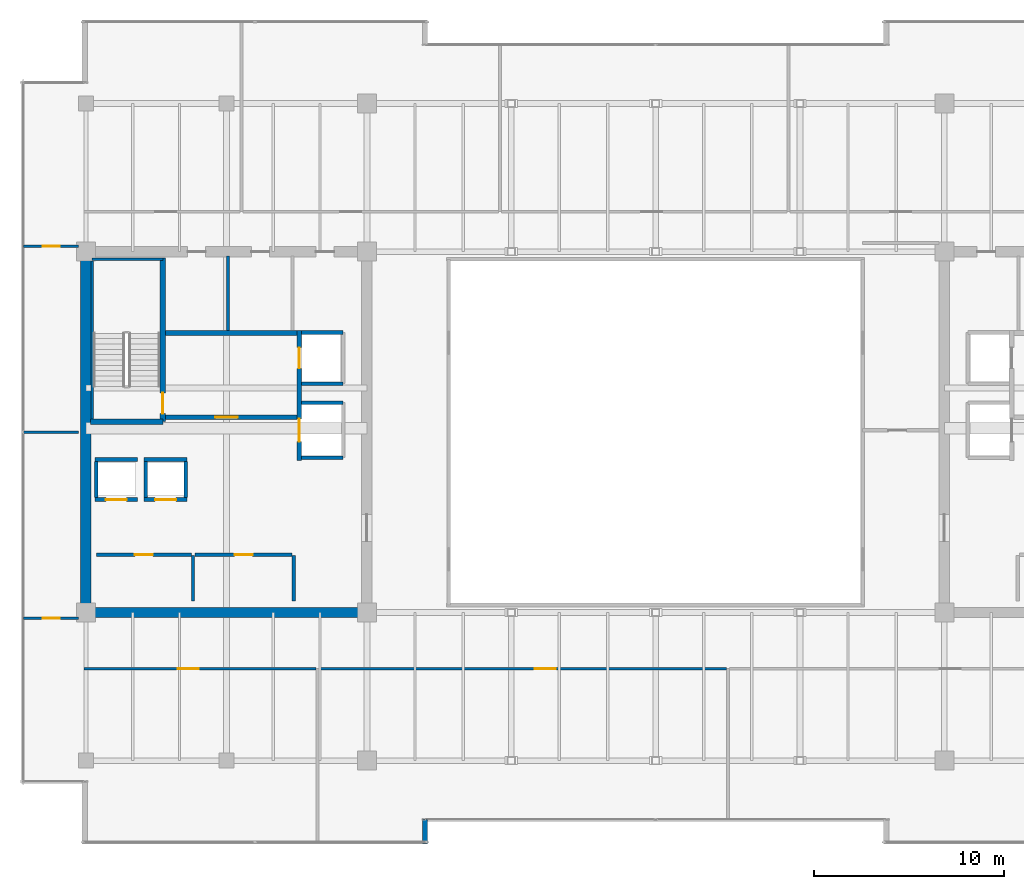
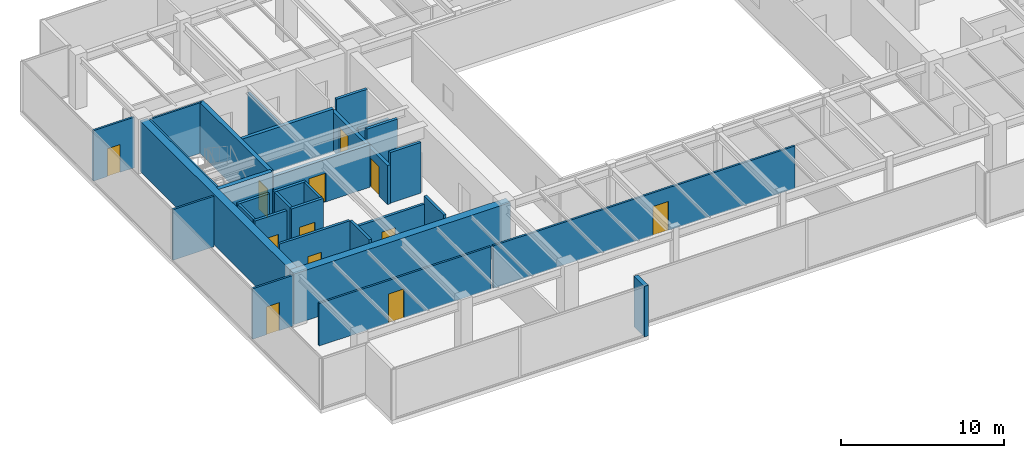
# One storey, part 28 of 33: 31 walls, 12 doors, 12 openings.
"""IFC4 building model written with IfcOpenShell, lengths in metres."""

from ifc_helpers import new_model, si_unit, direction, frame, frame_2d, origin, place, context, subcontext, project, spatial, rectangle, extrude, source, transform, mapped, material, layer, layer_set, type_object, type_shapes, element, fill, save


model = new_model("IFC4")

# Units and contexts
model_context = context("Model", 3, precision=1e-05, world=origin(), true_north=direction((0.0, 1.0)))
body_context = subcontext(model_context, "Body", "Model", "MODEL_VIEW")
ifc_project = project(units=[si_unit("LENGTHUNIT", "METRE"), si_unit("AREAUNIT", "SQUARE_METRE"), si_unit("VOLUMEUNIT", "CUBIC_METRE"), si_unit("PLANEANGLEUNIT", "RADIAN"), si_unit("MASSUNIT", "GRAM", prefix="KILO")], contexts=[model_context])

# Site, building, storey
site_placement = place(None, origin())
site = spatial("IfcSite", under=ifc_project, at=site_placement, CompositionType="ELEMENT")
building_placement = place(site_placement, origin())
building = spatial("IfcBuilding", under=site, at=building_placement, Name="Haelvirn Gate Laboratories", CompositionType="ELEMENT")
storey_placement = place(building_placement, frame((0.0, 0.0, 287.5)))
storey = spatial("IfcBuildingStorey", under=building, at=storey_placement, Name="L69", CompositionType="ELEMENT", Elevation=287.5)

# Wall
ifc_material_1 = material(Name="Thermally-broken bronze aluminium rainscreen & mineral wool", Category="aluminium")
ifc_layer_1 = layer(ifc_material_1, 0.280029296875, Name="EW-TERR-280")
ifc_layer_set_1 = layer_set([ifc_layer_1], Name="Thermally-broken bronze aluminium rainscreen & mineral wool")
wall_type_1 = type_object("IfcWallType", Name="EW-TERR-280", PredefinedType="STANDARD", material=ifc_layer_set_1)
wall_1_placement = place(storey_placement, frame((25.260009765625, 2.60009765625, 0.0), z_axis=(0.0, 0.0, 1.0), x_axis=(0.0, 1.0, 0.0)))
element("IfcWall", 1, at=wall_1_placement, inside=storey, type_object=wall_type_1, Name="L69 Atrium Recess Bronze Return Wall 01", PredefinedType="STANDARD", context=body_context, shape_type="SweptSolid", body=[
    extrude(rectangle(XDim=1.29296875, YDim=0.280029296875, at=frame_2d((0.646484375, 0.0))), origin(), (0.0, 0.0, 1.0), 3.800048828125),
])

# Wall, opening, door
ifc_material_2 = material(Name="Acoustic mineral-wool gypsum board partition", Category="gypsum")
ifc_layer_2 = layer(ifc_material_2, 0.139892578125, Name="IW-PART-140")
ifc_layer_set_2 = layer_set([ifc_layer_2], Name="Acoustic mineral-wool gypsum board partition")
wall_type_2 = type_object("IfcWallType", Name="IW-PART-140", PredefinedType="PARTITIONING", material=ifc_layer_set_2)
wall_2_placement = place(storey_placement, frame((7.31005859375, 11.840087890625, 0.0), z_axis=(0.0, 0.0, 1.0), x_axis=(1.0, 0.0, 0.0)))
wall_2 = element("IfcWall", 2, at=wall_2_placement, inside=storey, type_object=wall_type_2, Name="L69 Interior Wall IW-L69-SCORR-01", PredefinedType="PARTITIONING", context=body_context, shape_type="SweptSolid", body=[
    extrude(rectangle(XDim=12.2099609375, YDim=0.139892578125, at=frame_2d((6.10498046875, 0.0))), origin(), (0.0, 0.0, 1.0), 3.197021484375),
])
opening_1_placement = place(wall_2_placement, frame((4.930419921875, 0.0, 0.0)))
opening_1 = element("IfcOpeningElement", 3, at=opening_1_placement, cuts=wall_2, Name="Opening D1", PredefinedType="OPENING", context=body_context, shape_type="SweptSolid", body=[
    extrude(rectangle(XDim=1.10009765625, YDim=2.179931640625, at=frame_2d((0.550048828125, 1.08984375))), frame((0.0, 0.080078125, 0.0), z_axis=(0.0, -1.0, 0.0), x_axis=(1.0, 0.0, 0.0)), (0.0, 0.0, 1.0), 0.159912109375),
])
ifc_material_3 = material(Name="Vision-panel acoustic solid-core timber lab door", Category="wood")
door_type_1 = type_object("IfcDoorType", Name="DR-LAB-1100", OperationType="NOTDEFINED", PredefinedType="DOOR", material=ifc_material_3)
shared_shape_1 = source(origin(), body_context, "Body", "SweptSolid", [
    extrude(rectangle(XDim=1.10009765625, YDim=2.179931640625, at=frame_2d((0.550048828125, 1.08984375))), frame((0.0, 0.02490234375, 0.0), z_axis=(0.0, -1.0, 0.0), x_axis=(1.0, 0.0, 0.0)), (0.0, 0.0, 1.0), 0.050048828125),
])
type_shapes(door_type_1, [shared_shape_1])
door_1_placement = place(opening_1_placement, origin())
door_1 = element("IfcDoor", 4, at=door_1_placement, inside=storey, type_object=door_type_1, Name="L69 Bioinformatics Dry-Lab Workspace Door S1", OperationType="SINGLE_SWING_RIGHT", OverallHeight=2.179931640625, OverallWidth=1.10009765625, PredefinedType="DOOR", context=body_context, shape_type="MappedRepresentation", body=[
    mapped(shared_shape_1, transform((0.0, 0.0, 0.0), scale=1.0)),
])
fill(opening_1, door_1)

wall_3_placement = place(storey_placement, frame((19.679931640625, 11.840087890625, 0.0), z_axis=(0.0, 0.0, 1.0), x_axis=(1.0, 0.0, 0.0)))
wall_3 = element("IfcWall", 5, at=wall_3_placement, inside=storey, type_object=wall_type_2, Name="L69 Interior Wall IW-L69-SCORR-02", PredefinedType="PARTITIONING", context=body_context, shape_type="SweptSolid", body=[
    extrude(rectangle(XDim=21.440185546875, YDim=0.139892578125, at=frame_2d((10.72021484375, 0.0))), origin(), (0.0, 0.0, 1.0), 3.197021484375),
])
opening_2_placement = place(wall_3_placement, frame((11.348388671875, 0.0, 0.0)))
opening_2 = element("IfcOpeningElement", 6, at=opening_2_placement, cuts=wall_3, Name="Opening D1", PredefinedType="OPENING", context=body_context, shape_type="SweptSolid", body=[
    extrude(rectangle(XDim=1.10009765625, YDim=2.179931640625, at=frame_2d((0.550048828125, 1.08984375))), frame((0.0, 0.080078125, 0.0), z_axis=(0.0, -1.0, 0.0), x_axis=(1.0, 0.0, 0.0)), (0.0, 0.0, 1.0), 0.159912109375),
])
door_2_placement = place(opening_2_placement, origin())
door_2 = element("IfcDoor", 7, at=door_2_placement, inside=storey, type_object=door_type_1, Name="L69 Translational Data Office Door S2", OperationType="SINGLE_SWING_LEFT", OverallHeight=2.179931640625, OverallWidth=1.10009765625, PredefinedType="DOOR", context=body_context, shape_type="MappedRepresentation", body=[
    mapped(shared_shape_1, transform((0.0, 0.0, 0.0), scale=1.0)),
])
fill(opening_2, door_2)

# Wall
wall_4_placement = place(storey_placement, frame((4.110107421875, 24.300048828125, 0.0), z_axis=(0.0, 0.0, 1.0), x_axis=(1.0, 0.0, 0.0)))
element("IfcWall", 8, at=wall_4_placement, inside=storey, type_object=wall_type_2, Name="L69 Interior Wall IW-L69-WZ3-MID", PredefinedType="PARTITIONING", context=body_context, shape_type="SweptSolid", body=[
    extrude(rectangle(XDim=2.909912109375, YDim=0.139892578125, at=frame_2d((1.455078125, 0.0))), origin(), (0.0, 0.0, 1.0), 3.800048828125),
])

# Wall, opening, door
wall_5_placement = place(storey_placement, frame((4.110107421875, 14.5048828125, 0.0), z_axis=(0.0, 0.0, 1.0), x_axis=(1.0, 0.0, 0.0)))
wall_5 = element("IfcWall", 9, at=wall_5_placement, inside=storey, type_object=wall_type_2, Name="L69 Interior Wall IW-L69-WZ3-ENT-S", PredefinedType="PARTITIONING", context=body_context, shape_type="SweptSolid", body=[
    extrude(rectangle(XDim=2.909912109375, YDim=0.139892578125, at=frame_2d((1.455078125, 0.0))), origin(), (0.0, 0.0, 1.0), 3.800048828125),
])
opening_3_placement = place(wall_5_placement, frame((1.0048828125, 0.0, 0.0)))
opening_3 = element("IfcOpeningElement", 10, at=opening_3_placement, cuts=wall_5, Name="Opening D4", PredefinedType="OPENING", context=body_context, shape_type="SweptSolid", body=[
    extrude(rectangle(XDim=0.89990234375, YDim=2.10009765625, at=frame_2d((0.449951171875, 1.050048828125))), frame((0.0, 0.080078125, 0.0), z_axis=(0.0, -1.0, 0.0), x_axis=(1.0, 0.0, 0.0)), (0.0, 0.0, 1.0), 0.159912109375),
])
ifc_material_4 = material(Name="Glazed aluminium-framed write-up door", Category="aluminium")
door_type_2 = type_object("IfcDoorType", Name="DR-OFF-900", OperationType="NOTDEFINED", PredefinedType="DOOR", material=ifc_material_4)
shared_shape_2 = source(origin(), body_context, "Body", "SweptSolid", [
    extrude(rectangle(XDim=0.89990234375, YDim=2.10009765625, at=frame_2d((0.449951171875, 1.050048828125))), frame((0.0, 0.02490234375, 0.0), z_axis=(0.0, -1.0, 0.0), x_axis=(1.0, 0.0, 0.0)), (0.0, 0.0, 1.0), 0.050048828125),
])
type_shapes(door_type_2, [shared_shape_2])
door_3_placement = place(opening_3_placement, origin())
door_3 = element("IfcDoor", 11, at=door_3_placement, inside=storey, type_object=door_type_2, Name="L69 Proteomics Mass-Spec Laboratory Door W-S", OperationType="SINGLE_SWING_LEFT", OverallHeight=2.10009765625, OverallWidth=0.89990234375, PredefinedType="DOOR", context=body_context, shape_type="MappedRepresentation", body=[
    mapped(shared_shape_2, transform((0.0, 0.0, 0.0), scale=1.0)),
])
fill(opening_3, door_3)

wall_6_placement = place(storey_placement, frame((4.110107421875, 34.094970703125, 0.0), z_axis=(0.0, 0.0, 1.0), x_axis=(1.0, 0.0, 0.0)))
wall_6 = element("IfcWall", 12, at=wall_6_placement, inside=storey, type_object=wall_type_2, Name="L69 Interior Wall IW-L69-WZ3-ENT-N", PredefinedType="PARTITIONING", context=body_context, shape_type="SweptSolid", body=[
    extrude(rectangle(XDim=2.909912109375, YDim=0.139892578125, at=frame_2d((1.455078125, 0.0))), origin(), (0.0, 0.0, 1.0), 3.800048828125),
])
opening_4_placement = place(wall_6_placement, frame((1.0048828125, 0.0, 0.0)))
opening_4 = element("IfcOpeningElement", 13, at=opening_4_placement, cuts=wall_6, Name="Opening D4", PredefinedType="OPENING", context=body_context, shape_type="SweptSolid", body=[
    extrude(rectangle(XDim=0.89990234375, YDim=2.10009765625, at=frame_2d((0.449951171875, 1.050048828125))), frame((0.0, 0.080078125, 0.0), z_axis=(0.0, -1.0, 0.0), x_axis=(1.0, 0.0, 0.0)), (0.0, 0.0, 1.0), 0.159912109375),
])
door_4_placement = place(opening_4_placement, origin())
door_4 = element("IfcDoor", 14, at=door_4_placement, inside=storey, type_object=door_type_2, Name="L69 Bioprocess Foundry Laboratory Door W-N", OperationType="SINGLE_SWING_RIGHT", OverallHeight=2.10009765625, OverallWidth=0.89990234375, PredefinedType="DOOR", context=body_context, shape_type="MappedRepresentation", body=[
    mapped(shared_shape_2, transform((0.0, 0.0, 0.0), scale=1.0)),
])
fill(opening_4, door_4)

# Walls
ifc_material_5 = material(Name="Cement-board restroom plumbing chase wall", Category="gypsum")
ifc_layer_3 = layer(ifc_material_5, 0.155029296875, Name="IW-PLUMB-160")
ifc_layer_set_3 = layer_set([ifc_layer_3], Name="Cement-board restroom plumbing chase wall")
wall_type_3 = type_object("IfcWallType", Name="IW-PLUMB-160", PredefinedType="PLUMBINGWALL", material=ifc_layer_set_3)
wall_7_placement = place(storey_placement, frame((14.889892578125, 29.64990234375, 0.0), z_axis=(0.0, 0.0, 1.0), x_axis=(0.0, 1.0, 0.0)))
element("IfcWall", 15, at=wall_7_placement, inside=storey, type_object=wall_type_3, Name="L69 Interior Wall IW-L69-W-CDIV-1", PredefinedType="PLUMBINGWALL", context=body_context, shape_type="SweptSolid", body=[
    extrude(rectangle(XDim=3.93017578125, YDim=0.155029296875, at=frame_2d((1.965087890625, 0.0))), origin(), (0.0, 0.0, 1.0), 3.197021484375),
])
ifc_material_6 = material(Name="Concrete C40/50", Category="concrete")
ifc_layer_4 = layer(ifc_material_6, 0.179931640625, Name="IW-SHAFT-180")
ifc_layer_set_4 = layer_set([ifc_layer_4], Name="Concrete C40/50")
wall_type_4 = type_object("IfcWallType", Name="IW-SHAFT-180", PredefinedType="SOLIDWALL", material=ifc_layer_set_4)
for number, where, z_axis, x_axis, name in (
    (16, (7.949951171875, 20.85009765625, 0.0), (0.0, 0.0, 1.0), (0.0, 1.0, 0.0), "L69 Interior Wall IW-L69-PL9-SD"),
    (17, (10.550048828125, 20.85009765625, 0.0), (0.0, 0.0, 1.0), (0.0, 1.0, 0.0), "L69 Interior Wall IW-L69-PL10-SD"),
    (18, (12.64990234375, 20.85009765625, 0.0), (0.0, 0.0, 1.0), (0.0, 1.0, 0.0), "L69 Interior Wall IW-L69-PL10-SDE"),
):
    element("IfcWall", number, at=place(storey_placement, frame(where, z_axis=z_axis, x_axis=x_axis)), inside=storey, type_object=wall_type_4, Name=name, PredefinedType="SOLIDWALL", context=body_context, shape_type="SweptSolid", body=[
        extrude(rectangle(XDim=1.89990234375, YDim=0.179931640625, at=frame_2d((0.949951171875, 0.0))), origin(), (0.0, 0.0, 1.0), 3.800048828125),
    ])

# Wall, opening, door
wall_8_placement = place(storey_placement, frame((7.949951171875, 17.85009765625, 0.0), z_axis=(0.0, 0.0, 1.0), x_axis=(1.0, 0.0, 0.0)))
wall_8 = element("IfcWall", 19, at=wall_8_placement, inside=storey, type_object=wall_type_4, Name="L69 Interior Wall IW-L69-W-FREED-HN-1", PredefinedType="SOLIDWALL", context=body_context, shape_type="SweptSolid", body=[
    extrude(rectangle(XDim=5.0, YDim=0.179931640625, at=frame_2d((2.5, 0.0))), origin(), (0.0, 0.0, 1.0), 3.800048828125),
])
opening_5_placement = place(wall_8_placement, frame((2.02490234375, 0.0, 0.0)))
opening_5 = element("IfcOpeningElement", 20, at=opening_5_placement, cuts=wall_8, Name="Opening FD4", PredefinedType="OPENING", context=body_context, shape_type="SweptSolid", body=[
    extrude(rectangle(XDim=0.949951171875, YDim=2.14990234375, at=frame_2d((0.47509765625, 1.074951171875))), frame((0.0, 0.10009765625, 0.0), z_axis=(0.0, -1.0, 0.0), x_axis=(1.0, 0.0, 0.0)), (0.0, 0.0, 1.0), 0.199951171875),
])
ifc_material_7 = material(Name="Fire-rated steel SM355 core service door", Category="steel")
door_type_3 = type_object("IfcDoorType", Name="DR-FD-950", OperationType="NOTDEFINED", PredefinedType="DOOR", material=ifc_material_7)
shared_shape_3 = source(origin(), body_context, "Body", "SweptSolid", [
    extrude(rectangle(XDim=0.949951171875, YDim=2.14990234375, at=frame_2d((0.47509765625, 1.074951171875))), frame((0.0, 0.02490234375, 0.0), z_axis=(0.0, -1.0, 0.0), x_axis=(1.0, 0.0, 0.0)), (0.0, 0.0, 1.0), 0.050048828125),
])
type_shapes(door_type_3, [shared_shape_3])
door_5_placement = place(opening_5_placement, origin())
door_5 = element("IfcDoor", 21, at=door_5_placement, inside=storey, type_object=door_type_3, Name="L69 Cryogenic Specimen Biobank Door", OperationType="SINGLE_SWING_LEFT", OverallHeight=2.14990234375, OverallWidth=0.949951171875, PredefinedType="DOOR", context=body_context, shape_type="MappedRepresentation", body=[
    mapped(shared_shape_3, transform((0.0, 0.0, 0.0), scale=1.0)),
])
fill(opening_5, door_5)

# Wall
wall_9_placement = place(storey_placement, frame((13.0400390625, 15.39990234375, 0.0), z_axis=(0.0, 0.0, 1.0), x_axis=(0.0, 1.0, 0.0)))
element("IfcWall", 22, at=wall_9_placement, inside=storey, type_object=wall_type_4, Name="L69 Interior Wall IW-L69-W-FREED-HE-1", PredefinedType="SOLIDWALL", context=body_context, shape_type="SweptSolid", body=[
    extrude(rectangle(XDim=2.400146484375, YDim=0.179931640625, at=frame_2d((1.2001953125, 0.0))), origin(), (0.0, 0.0, 1.0), 3.800048828125),
])

# Wall, opening, door
wall_10_placement = place(storey_placement, frame((13.14990234375, 17.85009765625, 0.0), z_axis=(0.0, 0.0, 1.0), x_axis=(1.0, 0.0, 0.0)))
wall_10 = element("IfcWall", 23, at=wall_10_placement, inside=storey, type_object=wall_type_4, Name="L69 Interior Wall IW-L69-W-FREED-HN-2", PredefinedType="SOLIDWALL", context=body_context, shape_type="SweptSolid", body=[
    extrude(rectangle(XDim=5.10009765625, YDim=0.179931640625, at=frame_2d((2.550048828125, 0.0))), origin(), (0.0, 0.0, 1.0), 3.197021484375),
])
opening_6_placement = place(wall_10_placement, frame((2.074951171875, 0.0, 0.0)))
opening_6 = element("IfcOpeningElement", 24, at=opening_6_placement, cuts=wall_10, Name="Opening FD4", PredefinedType="OPENING", context=body_context, shape_type="SweptSolid", body=[
    extrude(rectangle(XDim=0.949951171875, YDim=2.14990234375, at=frame_2d((0.47509765625, 1.074951171875))), frame((0.0, 0.10009765625, 0.0), z_axis=(0.0, -1.0, 0.0), x_axis=(1.0, 0.0, 0.0)), (0.0, 0.0, 1.0), 0.199951171875),
])
door_6_placement = place(opening_6_placement, origin())
door_6 = element("IfcDoor", 25, at=door_6_placement, inside=storey, type_object=door_type_3, Name="L69 Cryo-Assay Preparation Laboratory Door", OperationType="SINGLE_SWING_RIGHT", OverallHeight=2.14990234375, OverallWidth=0.949951171875, PredefinedType="DOOR", context=body_context, shape_type="MappedRepresentation", body=[
    mapped(shared_shape_3, transform((0.0, 0.0, 0.0), scale=1.0)),
])
fill(opening_6, door_6)

# Wall
wall_11_placement = place(storey_placement, frame((18.340087890625, 15.39990234375, 0.0), z_axis=(0.0, 0.0, 1.0), x_axis=(0.0, 1.0, 0.0)))
element("IfcWall", 26, at=wall_11_placement, inside=storey, type_object=wall_type_4, Name="L69 Interior Wall IW-L69-W-FREED-HE-2", PredefinedType="SOLIDWALL", context=body_context, shape_type="SweptSolid", body=[
    extrude(rectangle(XDim=2.400146484375, YDim=0.179931640625, at=frame_2d((1.2001953125, 0.0))), origin(), (0.0, 0.0, 1.0), 3.800048828125),
])

# Wall, opening, door
ifc_layer_5 = layer(ifc_material_6, 0.199951171875, Name="IW-SHAFT-200")
ifc_layer_set_5 = layer_set([ifc_layer_5], Name="Concrete C40/50")
wall_type_5 = type_object("IfcWallType", Name="IW-SHAFT-200", PredefinedType="SOLIDWALL", material=ifc_layer_set_5)
wall_12_placement = place(storey_placement, frame((7.8701171875, 20.75, 0.0), z_axis=(0.0, 0.0, 1.0), x_axis=(1.0, 0.0, 0.0)))
wall_12 = element("IfcWall", 27, at=wall_12_placement, inside=storey, type_object=wall_type_5, Name="L69 Interior Wall IW-L69-PL9-FR", PredefinedType="SOLIDWALL", context=body_context, shape_type="SweptSolid", body=[
    extrude(rectangle(XDim=2.259765625, YDim=0.199951171875, at=frame_2d((1.1298828125, 0.0))), origin(), (0.0, 0.0, 1.0), 3.800048828125),
])
opening_7_placement = place(wall_12_placement, frame((0.580078125, 0.0, 0.0)))
opening_7 = element("IfcOpeningElement", 28, at=opening_7_placement, cuts=wall_12, Name="Opening LD2", PredefinedType="OPENING", context=body_context, shape_type="SweptSolid", body=[
    extrude(rectangle(XDim=1.10009765625, YDim=2.219970703125, at=frame_2d((0.550048828125, 1.10986328125))), frame((0.0, 0.10986328125, 0.0), z_axis=(0.0, -1.0, 0.0), x_axis=(1.0, 0.0, 0.0)), (0.0, 0.0, 1.0), 0.219970703125),
])
ifc_material_8 = material(Name="Bronze stainless 316L sliding lift landing door")
door_type_4 = type_object("IfcDoorType", Name="DR-LD-1100", OperationType="NOTDEFINED", PredefinedType="USERDEFINED", material=ifc_material_8)
shared_shape_4 = source(origin(), body_context, "Body", "SweptSolid", [
    extrude(rectangle(XDim=1.10009765625, YDim=2.219970703125, at=frame_2d((0.550048828125, 1.10986328125))), frame((0.0, 0.02490234375, 0.0), z_axis=(0.0, -1.0, 0.0), x_axis=(1.0, 0.0, 0.0)), (0.0, 0.0, 1.0), 0.050048828125),
])
type_shapes(door_type_4, [shared_shape_4])
door_7_placement = place(opening_7_placement, origin())
door_7 = element("IfcDoor", 29, at=door_7_placement, inside=storey, type_object=door_type_4, Name="L69 Passenger Lift PL9 Landing Door", ObjectType="LANDING_DOOR", OperationType="SLIDING_TO_LEFT", OverallHeight=2.219970703125, OverallWidth=1.10009765625, PredefinedType="USERDEFINED", context=body_context, shape_type="MappedRepresentation", body=[
    mapped(shared_shape_4, transform((0.0, 0.0, 0.0), scale=1.0)),
])
fill(opening_7, door_7)

# Wall
wall_13_placement = place(storey_placement, frame((7.8701171875, 22.85009765625, 0.0), z_axis=(0.0, 0.0, 1.0), x_axis=(1.0, 0.0, 0.0)))
element("IfcWall", 30, at=wall_13_placement, inside=storey, type_object=wall_type_5, Name="L69 Interior Wall IW-L69-PL9-BK", PredefinedType="SOLIDWALL", context=body_context, shape_type="SweptSolid", body=[
    extrude(rectangle(XDim=2.259765625, YDim=0.199951171875, at=frame_2d((1.1298828125, 0.0))), origin(), (0.0, 0.0, 1.0), 3.800048828125),
])

# Wall, opening, door
wall_14_placement = place(storey_placement, frame((10.469970703125, 20.75, 0.0), z_axis=(0.0, 0.0, 1.0), x_axis=(1.0, 0.0, 0.0)))
wall_14 = element("IfcWall", 31, at=wall_14_placement, inside=storey, type_object=wall_type_5, Name="L69 Interior Wall IW-L69-PL10-FR", PredefinedType="SOLIDWALL", context=body_context, shape_type="SweptSolid", body=[
    extrude(rectangle(XDim=2.260009765625, YDim=0.199951171875, at=frame_2d((1.1298828125, 0.0))), origin(), (0.0, 0.0, 1.0), 3.800048828125),
])
opening_8_placement = place(wall_14_placement, frame((0.580078125, 0.0, 0.0)))
opening_8 = element("IfcOpeningElement", 32, at=opening_8_placement, cuts=wall_14, Name="Opening LD2", PredefinedType="OPENING", context=body_context, shape_type="SweptSolid", body=[
    extrude(rectangle(XDim=1.10009765625, YDim=2.219970703125, at=frame_2d((0.550048828125, 1.10986328125))), frame((0.0, 0.10986328125, 0.0), z_axis=(0.0, -1.0, 0.0), x_axis=(1.0, 0.0, 0.0)), (0.0, 0.0, 1.0), 0.219970703125),
])
door_8_placement = place(opening_8_placement, origin())
door_8 = element("IfcDoor", 33, at=door_8_placement, inside=storey, type_object=door_type_4, Name="L69 Passenger Lift PL10 Landing Door", ObjectType="LANDING_DOOR", OperationType="SLIDING_TO_RIGHT", OverallHeight=2.219970703125, OverallWidth=1.10009765625, PredefinedType="USERDEFINED", context=body_context, shape_type="MappedRepresentation", body=[
    mapped(shared_shape_4, transform((0.0, 0.0, 0.0), scale=1.0)),
])
fill(opening_8, door_8)

# Walls
wall_15_placement = place(storey_placement, frame((10.469970703125, 22.85009765625, 0.0), z_axis=(0.0, 0.0, 1.0), x_axis=(1.0, 0.0, 0.0)))
element("IfcWall", 34, at=wall_15_placement, inside=storey, type_object=wall_type_5, Name="L69 Interior Wall IW-L69-PL10-BK", PredefinedType="SOLIDWALL", context=body_context, shape_type="SweptSolid", body=[
    extrude(rectangle(XDim=2.260009765625, YDim=0.199951171875, at=frame_2d((1.1298828125, 0.0))), origin(), (0.0, 0.0, 1.0), 3.800048828125),
])
wall_16_placement = place(storey_placement, frame((18.760009765625, 29.550048828125, 0.0), z_axis=(0.0, 0.0, 1.0), x_axis=(1.0, 0.0, 0.0)))
element("IfcWall", 35, at=wall_16_placement, inside=storey, type_object=wall_type_5, Name="L69 Interior Wall IW-L69-FL1-N", PredefinedType="SOLIDWALL", context=body_context, shape_type="SweptSolid", body=[
    extrude(rectangle(XDim=2.18994140625, YDim=0.199951171875, at=frame_2d((1.094970703125, 0.0))), origin(), (0.0, 0.0, 1.0), 3.800048828125),
])
wall_17_placement = place(storey_placement, frame((18.760009765625, 26.85009765625, 0.0), z_axis=(0.0, 0.0, 1.0), x_axis=(1.0, 0.0, 0.0)))
element("IfcWall", 36, at=wall_17_placement, inside=storey, type_object=wall_type_5, Name="L69 Interior Wall IW-L69-FL1-S", PredefinedType="SOLIDWALL", context=body_context, shape_type="SweptSolid", body=[
    extrude(rectangle(XDim=2.18994140625, YDim=0.199951171875, at=frame_2d((1.094970703125, 0.0))), origin(), (0.0, 0.0, 1.0), 3.197021484375),
])
for number, where, z_axis, x_axis, name in (
    (37, (18.760009765625, 25.85009765625, 0.0), (0.0, 0.0, 1.0), (1.0, 0.0, 0.0), "L69 Interior Wall IW-L69-SL1-N"),
    (38, (18.760009765625, 22.949951171875, 0.0), (0.0, 0.0, 1.0), (1.0, 0.0, 0.0), "L69 Interior Wall IW-L69-SL1-S"),
):
    element("IfcWall", number, at=place(storey_placement, frame(where, z_axis=z_axis, x_axis=x_axis)), inside=storey, type_object=wall_type_5, Name=name, PredefinedType="SOLIDWALL", context=body_context, shape_type="SweptSolid", body=[
        extrude(rectangle(XDim=2.18994140625, YDim=0.199951171875, at=frame_2d((1.094970703125, 0.0))), origin(), (0.0, 0.0, 1.0), 3.800048828125),
    ])

# Wall, opening, door
ifc_layer_6 = layer(ifc_material_6, 0.239990234375, Name="IW-SHAFT-240")
ifc_layer_set_6 = layer_set([ifc_layer_6], Name="Concrete C40/50")
wall_type_6 = type_object("IfcWallType", Name="IW-SHAFT-240", PredefinedType="SOLIDWALL", material=ifc_layer_set_6)
wall_18_placement = place(storey_placement, frame((11.60009765625, 25.080078125, 0.0), z_axis=(0.0, 0.0, 1.0), x_axis=(1.0, 0.0, 0.0)))
wall_18 = element("IfcWall", 39, at=wall_18_placement, inside=storey, type_object=wall_type_6, Name="L69 Interior Wall IW-L69-W-FF-S", PredefinedType="SOLIDWALL", context=body_context, shape_type="SweptSolid", body=[
    extrude(rectangle(XDim=6.919921875, YDim=0.239990234375, at=frame_2d((3.4599609375, 0.0))), origin(), (0.0, 0.0, 1.0), 3.197021484375),
])
opening_9_placement = place(wall_18_placement, frame((2.60009765625, 0.0, 0.0)))
opening_9 = element("IfcOpeningElement", 40, at=opening_9_placement, cuts=wall_18, Name="Opening FD2", PredefinedType="OPENING", context=body_context, shape_type="SweptSolid", body=[
    extrude(rectangle(XDim=1.199951171875, YDim=2.159912109375, at=frame_2d((0.60009765625, 1.080078125))), frame((0.0, 0.1298828125, 0.0), z_axis=(0.0, -1.0, 0.0), x_axis=(1.0, 0.0, 0.0)), (0.0, 0.0, 1.0), 0.260009765625),
])
ifc_material_9 = material(Name="Fire-rated steel SM355 compartment door", Category="steel")
door_type_5 = type_object("IfcDoorType", Name="DR-FD-1200", OperationType="NOTDEFINED", PredefinedType="DOOR", material=ifc_material_9)
shared_shape_5 = source(origin(), body_context, "Body", "SweptSolid", [
    extrude(rectangle(XDim=1.199951171875, YDim=2.159912109375, at=frame_2d((0.60009765625, 1.080078125))), frame((0.0, 0.02490234375, 0.0), z_axis=(0.0, -1.0, 0.0), x_axis=(1.0, 0.0, 0.0)), (0.0, 0.0, 1.0), 0.050048828125),
])
type_shapes(door_type_5, [shared_shape_5])
door_9_placement = place(opening_9_placement, origin())
door_9 = element("IfcDoor", 41, at=door_9_placement, inside=storey, type_object=door_type_5, Name="L69 West Firefighting Lobby Door", OperationType="SINGLE_SWING_RIGHT", OverallHeight=2.159912109375, OverallWidth=1.199951171875, PredefinedType="DOOR", context=body_context, shape_type="MappedRepresentation", body=[
    mapped(shared_shape_5, transform((0.0, 0.0, 0.0), scale=1.0)),
])
fill(opening_9, door_9)

# Wall
wall_19_placement = place(storey_placement, frame((11.60009765625, 29.52001953125, 0.0), z_axis=(0.0, 0.0, 1.0), x_axis=(1.0, 0.0, 0.0)))
element("IfcWall", 42, at=wall_19_placement, inside=storey, type_object=wall_type_6, Name="L69 Interior Wall IW-L69-W-FF-N", PredefinedType="SOLIDWALL", context=body_context, shape_type="SweptSolid", body=[
    extrude(rectangle(XDim=6.919921875, YDim=0.239990234375, at=frame_2d((3.4599609375, 0.0))), origin(), (0.0, 0.0, 1.0), 3.197021484375),
])

# Wall, openings, doors
wall_20_placement = place(storey_placement, frame((18.639892578125, 22.800048828125, 0.0), z_axis=(0.0, 0.0, 1.0), x_axis=(0.0, 1.0, 0.0)))
wall_20 = element("IfcWall", 43, at=wall_20_placement, inside=storey, type_object=wall_type_6, Name="L69 Interior Wall IW-L69-W-FF-E", PredefinedType="SOLIDWALL", context=body_context, shape_type="SweptSolid", body=[
    extrude(rectangle(XDim=6.849853515625, YDim=0.239990234375, at=frame_2d((3.4248046875, 0.0))), origin(), (0.0, 0.0, 1.0), 2.93505859375),
])
opening_10_placement = place(wall_20_placement, frame((4.85009765625, 0.0, 0.0)))
opening_10 = element("IfcOpeningElement", 44, at=opening_10_placement, cuts=wall_20, Name="Opening LD2", PredefinedType="OPENING", context=body_context, shape_type="SweptSolid", body=[
    extrude(rectangle(XDim=1.10009765625, YDim=2.219970703125, at=frame_2d((0.550048828125, 1.10986328125))), frame((0.0, 0.1298828125, 0.0), z_axis=(0.0, -1.0, 0.0), x_axis=(1.0, 0.0, 0.0)), (0.0, 0.0, 1.0), 0.260009765625),
])
opening_11_placement = place(wall_20_placement, frame((1.0, 0.0, 0.0)))
opening_11 = element("IfcOpeningElement", 45, at=opening_11_placement, cuts=wall_20, Name="Opening LD1", PredefinedType="OPENING", context=body_context, shape_type="SweptSolid", body=[
    extrude(rectangle(XDim=1.199951171875, YDim=2.219970703125, at=frame_2d((0.60009765625, 1.10986328125))), frame((0.0, 0.1298828125, 0.0), z_axis=(0.0, -1.0, 0.0), x_axis=(1.0, 0.0, 0.0)), (0.0, 0.0, 1.0), 0.260009765625),
])
door_10_placement = place(opening_10_placement, origin())
door_10 = element("IfcDoor", 46, at=door_10_placement, inside=storey, type_object=door_type_4, Name="L69 Firefighting Lift FL1 Landing Door", ObjectType="LANDING_DOOR", OperationType="SLIDING_TO_LEFT", OverallHeight=2.219970703125, OverallWidth=1.10009765625, PredefinedType="USERDEFINED", context=body_context, shape_type="MappedRepresentation", body=[
    mapped(shared_shape_4, transform((0.0, 0.0, 0.0), scale=1.0)),
])
fill(opening_10, door_10)
ifc_material_10 = material(Name="Stainless steel 316L sliding goods landing door", Category="steel")
door_type_6 = type_object("IfcDoorType", Name="DR-LD-1200", OperationType="NOTDEFINED", PredefinedType="USERDEFINED", material=ifc_material_10)
shared_shape_6 = source(origin(), body_context, "Body", "SweptSolid", [
    extrude(rectangle(XDim=1.199951171875, YDim=2.219970703125, at=frame_2d((0.60009765625, 1.10986328125))), frame((0.0, 0.02490234375, 0.0), z_axis=(0.0, -1.0, 0.0), x_axis=(1.0, 0.0, 0.0)), (0.0, 0.0, 1.0), 0.050048828125),
])
type_shapes(door_type_6, [shared_shape_6])
door_11_placement = place(opening_11_placement, origin())
door_11 = element("IfcDoor", 47, at=door_11_placement, inside=storey, type_object=door_type_6, Name="L69 Service Lift SL1 Landing Door", ObjectType="LANDING_DOOR", OperationType="SLIDING_TO_RIGHT", OverallHeight=2.219970703125, OverallWidth=1.199951171875, PredefinedType="USERDEFINED", context=body_context, shape_type="MappedRepresentation", body=[
    mapped(shared_shape_6, transform((0.0, 0.0, 0.0), scale=1.0)),
])
fill(opening_11, door_11)

# Walls
ifc_material_11 = material(Name="Concrete C50/60", Category="concrete")
ifc_layer_7 = layer(ifc_material_11, 0.550048828125, Name="SW-CORE-550")
ifc_layer_set_7 = layer_set([ifc_layer_7], Name="Concrete C50/60")
wall_type_7 = type_object("IfcWallType", Name="SW-CORE-550", PredefinedType="SHEAR", material=ifc_layer_set_7)
wall_21_placement = place(storey_placement, frame((7.125, 14.800048828125, 0.0), z_axis=(0.0, 0.0, 1.0), x_axis=(1.0, 0.0, 0.0)))
element("IfcWall", 48, at=wall_21_placement, inside=storey, type_object=wall_type_7, Name="L69 W Core Shear Wall S", PredefinedType="SHEAR", context=body_context, shape_type="SweptSolid", body=[
    extrude(rectangle(XDim=15.35009765625, YDim=0.550048828125, at=frame_2d((7.675048828125, 0.0))), origin(), (0.0, 0.0, 1.0), 3.800048828125),
])
wall_22_placement = place(storey_placement, frame((7.39990234375, 15.074951171875, 0.0), z_axis=(0.0, 0.0, 1.0), x_axis=(0.0, 1.0, 0.0)))
element("IfcWall", 49, at=wall_22_placement, inside=storey, type_object=wall_type_7, Name="L69 W Core Shear Wall W", PredefinedType="SHEAR", context=body_context, shape_type="SweptSolid", body=[
    extrude(rectangle(XDim=18.449951171875, YDim=0.550048828125, at=frame_2d((9.22509765625, 0.0))), origin(), (0.0, 0.0, 1.0), 3.800048828125),
])
ifc_layer_8 = layer(ifc_material_11, 0.1201171875, Name="SW-LINER-120")
ifc_layer_set_8 = layer_set([ifc_layer_8], Name="Concrete C50/60")
wall_type_8 = type_object("IfcWallType", Name="SW-LINER-120", PredefinedType="SOLIDWALL", material=ifc_layer_set_8)
wall_23_placement = place(storey_placement, frame((7.72998046875, 33.39990234375, 0.0), z_axis=(0.0, 0.0, 1.0), x_axis=(1.0, 0.0, 0.0)))
element("IfcWall", 50, at=wall_23_placement, inside=storey, type_object=wall_type_8, Name="L69 W Core Stair Shaft Liner Wall N", PredefinedType="SOLIDWALL", context=body_context, shape_type="SweptSolid", body=[
    extrude(rectangle(XDim=3.719970703125, YDim=0.1201171875, at=frame_2d((1.85986328125, 0.0))), origin(), (0.0, 0.0, 1.0), 3.800048828125),
])
wall_24_placement = place(storey_placement, frame((7.72998046875, 25.0, 0.0), z_axis=(0.0, 0.0, 1.0), x_axis=(0.0, 1.0, 0.0)))
element("IfcWall", 51, at=wall_24_placement, inside=storey, type_object=wall_type_8, Name="L69 W Core Stair Shaft Liner Wall OUT", PredefinedType="SOLIDWALL", context=body_context, shape_type="SweptSolid", body=[
    extrude(rectangle(XDim=8.320068359375, YDim=0.1201171875, at=frame_2d((4.16015625, 0.0))), origin(), (0.0, 0.0, 1.0), 3.800048828125),
])

# Wall, opening, door
ifc_layer_9 = layer(ifc_material_11, 0.300048828125, Name="SW-STAIR-300")
ifc_layer_set_9 = layer_set([ifc_layer_9], Name="Concrete C50/60")
wall_type_9 = type_object("IfcWallType", Name="SW-STAIR-300", PredefinedType="SHEAR", material=ifc_layer_set_9)
wall_25_placement = place(storey_placement, frame((11.449951171875, 24.85009765625, 0.0), z_axis=(0.0, 0.0, 1.0), x_axis=(0.0, 1.0, 0.0)))
wall_25 = element("IfcWall", 52, at=wall_25_placement, inside=storey, type_object=wall_type_9, Name="L69 W Core Stair Shaft Structural Wall IN", PredefinedType="SHEAR", context=body_context, shape_type="SweptSolid", body=[
    extrude(rectangle(XDim=8.6298828125, YDim=0.300048828125, at=frame_2d((4.31494140625, 0.0))), origin(), (0.0, 0.0, 1.0), 3.800048828125),
])
opening_12_placement = place(wall_25_placement, frame((0.419921875, 0.0, 0.0)))
opening_12 = element("IfcOpeningElement", 53, at=opening_12_placement, cuts=wall_25, Name="Opening FD3", PredefinedType="OPENING", context=body_context, shape_type="SweptSolid", body=[
    extrude(rectangle(XDim=1.10009765625, YDim=2.14990234375, at=frame_2d((0.550048828125, 1.074951171875))), frame((0.0, 0.16015625, 0.0), z_axis=(0.0, -1.0, 0.0), x_axis=(1.0, 0.0, 0.0)), (0.0, 0.0, 1.0), 0.320068359375),
])
ifc_material_12 = material(Name="Fire-rated steel SM355 escape stair door", Category="steel")
door_type_7 = type_object("IfcDoorType", Name="DR-FD-1100", OperationType="NOTDEFINED", PredefinedType="DOOR", material=ifc_material_12)
shared_shape_7 = source(origin(), body_context, "Body", "SweptSolid", [
    extrude(rectangle(XDim=1.10009765625, YDim=2.14990234375, at=frame_2d((0.550048828125, 1.074951171875))), frame((0.0, 0.02490234375, 0.0), z_axis=(0.0, -1.0, 0.0), x_axis=(1.0, 0.0, 0.0)), (0.0, 0.0, 1.0), 0.050048828125),
])
type_shapes(door_type_7, [shared_shape_7])
door_12_placement = place(opening_12_placement, origin())
door_12 = element("IfcDoor", 54, at=door_12_placement, inside=storey, type_object=door_type_7, Name="L69 Escape Stair ST1 Fire Door", OperationType="SINGLE_SWING_LEFT", OverallHeight=2.14990234375, OverallWidth=1.10009765625, PredefinedType="DOOR", context=body_context, shape_type="MappedRepresentation", body=[
    mapped(shared_shape_7, transform((0.0, 0.0, 0.0), scale=1.0)),
])
fill(opening_12, door_12)

# Wall
wall_26_placement = place(storey_placement, frame((7.64990234375, 24.85009765625, 0.0), z_axis=(0.0, 0.0, 1.0), x_axis=(1.0, 0.0, 0.0)))
element("IfcWall", 55, at=wall_26_placement, inside=storey, type_object=wall_type_9, Name="L69 W Core Stair Shaft Structural Wall S", PredefinedType="SHEAR", context=body_context, shape_type="SweptSolid", body=[
    extrude(rectangle(XDim=3.800048828125, YDim=0.300048828125, at=frame_2d((1.89990234375, 0.0))), origin(), (0.0, 0.0, 1.0), 3.800048828125),
])

save(model, "model.ifc")
